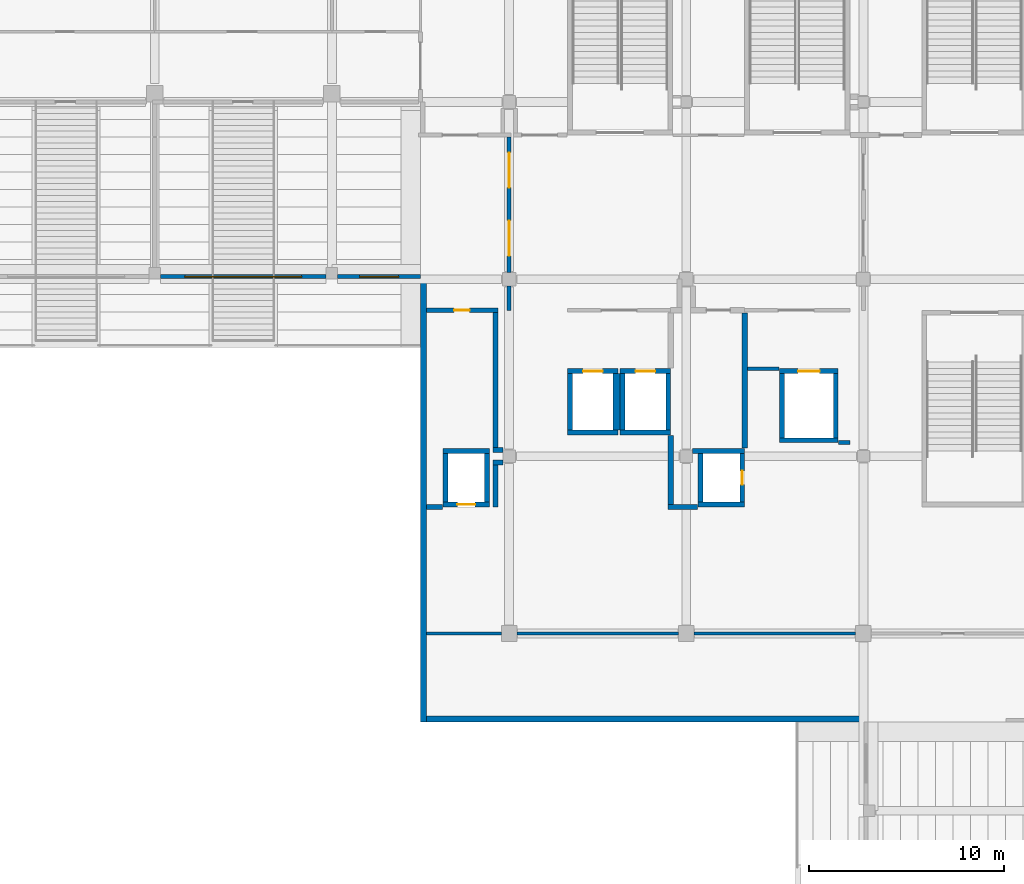
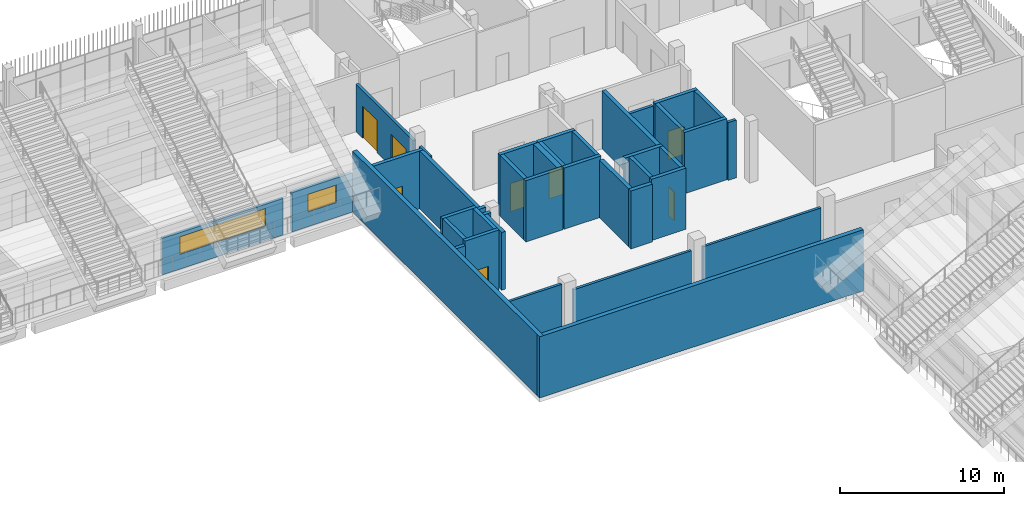
# One storey, part 86 of 139: 40 walls, 8 doors, 2 windows, 10 openings.
"""IFC4 building model written with IfcOpenShell, lengths in metres."""

from ifc_helpers import new_model, si_unit, direction, frame, frame_2d, origin, place, context, subcontext, project, spatial, rectangle, extrude, material, layer, layer_set, type_object, element, fill, save


model = new_model("IFC4")

# Units and contexts
model_context = context("Model", 3, precision=1e-05, world=origin(), true_north=direction((0.0, 1.0)))
body_context = subcontext(model_context, "Body", "Model", "MODEL_VIEW")
ifc_project = project(units=[si_unit("LENGTHUNIT", "METRE"), si_unit("AREAUNIT", "SQUARE_METRE"), si_unit("VOLUMEUNIT", "CUBIC_METRE"), si_unit("PLANEANGLEUNIT", "RADIAN"), si_unit("MASSUNIT", "GRAM", prefix="KILO")], contexts=[model_context])

# Site, building, storey
site_placement = place(None, origin())
site = spatial("IfcSite", under=ifc_project, at=site_placement, CompositionType="ELEMENT")
building_placement = place(site_placement, origin())
building = spatial("IfcBuilding", under=site, at=building_placement, Name="Shirokan Park Arena", CompositionType="ELEMENT")
storey_placement = place(building_placement, frame((0.0, 0.0, 15.469970703125)))
storey = spatial("IfcBuildingStorey", under=building, at=storey_placement, Name="L03", CompositionType="ELEMENT", Elevation=15.469970703125)

# Walls
ifc_material_1 = material(Name="Gypsum board")
ifc_layer_1 = layer(ifc_material_1, 0.02490234375, Name="Gypsum board, two layers")
ifc_material_2 = material(Name="Mineral wool insulation")
ifc_layer_2 = layer(ifc_material_2, 0.10009765625, Name="Acoustic mineral wool in studs")
ifc_layer_3 = layer(ifc_material_1, 0.02490234375, Name="Gypsum board, two layers")
ifc_material_3 = material(Name="Acoustic mat on resilient channel")
ifc_layer_4 = layer(ifc_material_3, 0.02490234375, Name="Acoustic mat on resilient channel")
ifc_layer_set_1 = layer_set([ifc_layer_1, ifc_layer_2, ifc_layer_3, ifc_layer_4], Name="Gypsum board, two layers + Acoustic mineral wool in studs + Acoustic mat on resilient channel")
wall_type_1 = type_object("IfcWallType", Name="Acoustic studio wall 175", PredefinedType="PARTITIONING", material=ifc_layer_set_1)
wall_1_placement = place(storey_placement, frame((104.949951171875, 72.800048828125, 0.0), z_axis=(0.0, 0.0, 1.0), x_axis=(1.0, 0.0, 0.0)))
element("IfcWall", 1, at=wall_1_placement, inside=storey, type_object=wall_type_1, Name="Acoustic studio wall 175 L03", PredefinedType="PARTITIONING", context=body_context, shape_type="SweptSolid", body=[
    extrude(rectangle(XDim=3.85009765625, YDim=0.175048828125, at=frame_2d((1.925048828125, 0.0))), origin(), (0.0, 0.0, 1.0), 4.300048828125),
])
wall_2_placement = place(storey_placement, frame((109.60009765625, 72.800048828125, 0.0), z_axis=(0.0, 0.0, 1.0), x_axis=(1.0, 0.0, 0.0)))
element("IfcWall", 2, at=wall_2_placement, inside=storey, type_object=wall_type_1, Name="Acoustic studio wall 175 L03", PredefinedType="PARTITIONING", context=body_context, shape_type="SweptSolid", body=[
    extrude(rectangle(XDim=8.2998046875, YDim=0.175048828125, at=frame_2d((4.14990234375, 0.0))), origin(), (0.0, 0.0, 1.0), 3.60009765625),
])
wall_3_placement = place(storey_placement, frame((118.699951171875, 72.800048828125, 0.0), z_axis=(0.0, 0.0, 1.0), x_axis=(1.0, 0.0, 0.0)))
element("IfcWall", 3, at=wall_3_placement, inside=storey, type_object=wall_type_1, Name="Acoustic studio wall 175 L03", PredefinedType="PARTITIONING", context=body_context, shape_type="SweptSolid", body=[
    extrude(rectangle(XDim=8.300048828125, YDim=0.175048828125, at=frame_2d((4.14990234375, 0.0))), origin(), (0.0, 0.0, 1.0), 3.60009765625),
])

# Wall, opening, window
ifc_material_4 = material(Name="Cedar timber lining", Category="wood")
ifc_layer_5 = layer(ifc_material_4, 0.02001953125, Name="Cedar timber lining")
ifc_material_5 = material(Name="Plywood", Category="wood")
ifc_layer_6 = layer(ifc_material_5, 0.01806640625, Name="Plywood")
ifc_layer_7 = layer(ifc_material_2, 0.14208984375, Name="Mineral wool insulation")
ifc_layer_8 = layer(ifc_material_1, 0.02001953125, Name="Gypsum board")
ifc_layer_set_2 = layer_set([ifc_layer_5, ifc_layer_6, ifc_layer_7, ifc_layer_8], Name="Cedar timber lining + Plywood + Mineral wool insulation + Gypsum board")
wall_type_2 = type_object("IfcWallType", Name="Bowl front wall 200", PredefinedType="PARTITIONING", material=ifc_layer_set_2)
wall_4_placement = place(storey_placement, frame((104.64990234375, 91.1298828125, 0.0), z_axis=(0.0, 0.0, 1.0), x_axis=(-1.0, 0.0, 0.0)))
wall_4 = element("IfcWall", 4, at=wall_4_placement, inside=storey, type_object=wall_type_2, Name="Bowl front wall 200 L03", PredefinedType="PARTITIONING", context=body_context, shape_type="SweptSolid", body=[
    extrude(rectangle(XDim=4.25, YDim=0.199951171875, at=frame_2d((2.125, 0.0))), origin(), (0.0, 0.0, 1.0), 2.909912109375),
])
opening_1_placement = place(wall_4_placement, frame((1.125, 0.0, 1.10009765625)))
opening_1 = element("IfcOpeningElement", 5, at=opening_1_placement, cuts=wall_4, Name="Opening W7", PredefinedType="OPENING", context=body_context, shape_type="SweptSolid", body=[
    extrude(rectangle(XDim=2.0, YDim=1.300048828125, at=frame_2d((1.0, 0.64990234375))), frame((0.0, 0.10986328125, 0.0), z_axis=(0.0, -1.0, 0.0), x_axis=(1.0, 0.0, 0.0)), (0.0, 0.0, 1.0), 0.219970703125),
])
ifc_material_6 = material(Name="Aluminium frame with laminated glass", Category="aluminium")
window_type_1 = type_object("IfcWindowType", Name="Suite viewing window 2000 x 1300", PartitioningType="SINGLE_PANEL", PredefinedType="WINDOW", material=ifc_material_6)
window_1_placement = place(opening_1_placement, origin())
window_1 = element("IfcWindow", 6, at=window_1_placement, inside=storey, type_object=window_type_1, Name="Suite viewing window 2000 x 1300 L03", OverallHeight=1.300048828125, OverallWidth=2.0, PartitioningType="SINGLE_PANEL", PredefinedType="WINDOW", context=body_context, shape_type="SweptSolid", body=[
    extrude(rectangle(XDim=2.0, YDim=1.300048828125, at=frame_2d((1.0, 0.64990234375))), frame((0.0, 0.030029296875, 0.0), z_axis=(0.0, -1.0, 0.0), x_axis=(1.0, 0.0, 0.0)), (0.0, 0.0, 1.0), 0.06005859375),
])
fill(opening_1, window_1)

wall_5_placement = place(storey_placement, frame((99.800048828125, 91.1298828125, 0.0), z_axis=(0.0, 0.0, 1.0), x_axis=(-1.0, 0.0, 0.0)))
wall_5 = element("IfcWall", 7, at=wall_5_placement, inside=storey, type_object=wall_type_2, Name="Bowl front wall 200 L03", PredefinedType="PARTITIONING", context=body_context, shape_type="SweptSolid", body=[
    extrude(rectangle(XDim=8.5, YDim=0.199951171875, at=frame_2d((4.25, 0.0))), origin(), (0.0, 0.0, 1.0), 2.7099609375),
])
opening_2_placement = place(wall_5_placement, frame((1.25, 0.0, 1.10009765625)))
opening_2 = element("IfcOpeningElement", 8, at=opening_2_placement, cuts=wall_5, Name="Opening W8", PredefinedType="OPENING", context=body_context, shape_type="SweptSolid", body=[
    extrude(rectangle(XDim=6.0, YDim=1.300048828125, at=frame_2d((3.0, 0.64990234375))), frame((0.0, 0.10986328125, 0.0), z_axis=(0.0, -1.0, 0.0), x_axis=(1.0, 0.0, 0.0)), (0.0, 0.0, 1.0), 0.219970703125),
])
window_type_2 = type_object("IfcWindowType", Name="Suite viewing window 6000 x 1300", PartitioningType="SINGLE_PANEL", PredefinedType="WINDOW", material=ifc_material_6)
window_2_placement = place(opening_2_placement, origin())
window_2 = element("IfcWindow", 9, at=window_2_placement, inside=storey, type_object=window_type_2, Name="Suite viewing window 6000 x 1300 L03", OverallHeight=1.300048828125, OverallWidth=6.0, PartitioningType="SINGLE_PANEL", PredefinedType="WINDOW", context=body_context, shape_type="SweptSolid", body=[
    extrude(rectangle(XDim=6.0, YDim=1.300048828125, at=frame_2d((3.0, 0.64990234375))), frame((0.0, 0.030029296875, 0.0), z_axis=(0.0, -1.0, 0.0), x_axis=(1.0, 0.0, 0.0)), (0.0, 0.0, 1.0), 0.06005859375),
])
fill(opening_2, window_2)

# Walls
ifc_material_7 = material(Name="Plaster")
ifc_layer_9 = layer(ifc_material_7, 0.014892578125, Name="Plaster")
ifc_material_8 = material(Name="Concrete blockwork", Category="masonry")
ifc_layer_10 = layer(ifc_material_8, 0.219970703125, Name="Concrete blockwork 220")
ifc_layer_11 = layer(ifc_material_7, 0.014892578125, Name="Plaster")
ifc_layer_set_3 = layer_set([ifc_layer_9, ifc_layer_10, ifc_layer_11], Name="Plaster + Concrete blockwork 220")
wall_type_3 = type_object("IfcWallType", Name="Compartment wall 250", PredefinedType="SOLIDWALL", material=ifc_layer_set_3)
wall_6_placement = place(storey_placement, frame((105.77001953125, 79.300048828125, 0.0), z_axis=(0.0, 0.0, 1.0), x_axis=(-1.0, 0.0, 0.0)))
element("IfcWall", 10, at=wall_6_placement, inside=storey, type_object=wall_type_3, Name="Compartment wall 250 L03", PredefinedType="SOLIDWALL", context=body_context, shape_type="SweptSolid", body=[
    extrude(rectangle(XDim=0.820068359375, YDim=0.25, at=frame_2d((0.41015625, 0.0))), origin(), (0.0, 0.0, 1.0), 4.300048828125),
])
wall_7_placement = place(storey_placement, frame((108.375, 81.574951171875, 0.0), z_axis=(0.0, 0.0, 1.0), x_axis=(1.0, 0.0, 0.0)))
element("IfcWall", 11, at=wall_7_placement, inside=storey, type_object=wall_type_3, Name="Compartment wall 250 L03", PredefinedType="SOLIDWALL", context=body_context, shape_type="SweptSolid", body=[
    extrude(rectangle(XDim=0.5, YDim=0.25, at=frame_2d((0.25, 0.0))), origin(), (0.0, 0.0, 1.0), 4.300048828125),
])
wall_8_placement = place(storey_placement, frame((108.5, 79.300048828125, 0.0), z_axis=(0.0, 0.0, 1.0), x_axis=(0.0, 1.0, 0.0)))
element("IfcWall", 12, at=wall_8_placement, inside=storey, type_object=wall_type_3, Name="Compartment wall 250 L03", PredefinedType="SOLIDWALL", context=body_context, shape_type="SweptSolid", body=[
    extrude(rectangle(XDim=2.14990234375, YDim=0.25, at=frame_2d((1.074951171875, 0.0))), origin(), (0.0, 0.0, 1.0), 4.300048828125),
])
wall_9_placement = place(storey_placement, frame((108.5, 82.35009765625, 0.0), z_axis=(0.0, 0.0, 1.0), x_axis=(0.0, 1.0, 0.0)))
element("IfcWall", 13, at=wall_9_placement, inside=storey, type_object=wall_type_3, Name="Compartment wall 250 L03", PredefinedType="SOLIDWALL", context=body_context, shape_type="SweptSolid", body=[
    extrude(rectangle(XDim=6.9248046875, YDim=0.25, at=frame_2d((3.46240234375, 0.0))), origin(), (0.0, 0.0, 1.0), 4.300048828125),
])

# Wall, opening, door
wall_10_placement = place(storey_placement, frame((108.625, 89.39990234375, 0.0), z_axis=(0.0, 0.0, 1.0), x_axis=(-1.0, 0.0, 0.0)))
wall_10 = element("IfcWall", 14, at=wall_10_placement, inside=storey, type_object=wall_type_3, Name="Compartment wall 250 L03", PredefinedType="SOLIDWALL", context=body_context, shape_type="SweptSolid", body=[
    extrude(rectangle(XDim=3.675048828125, YDim=0.25, at=frame_2d((1.83740234375, 0.0))), origin(), (0.0, 0.0, 1.0), 4.300048828125),
])
opening_3_placement = place(wall_10_placement, frame((1.449951171875, 0.0, 0.0)))
opening_3 = element("IfcOpeningElement", 15, at=opening_3_placement, cuts=wall_10, Name="Opening D-3025", PredefinedType="OPENING", context=body_context, shape_type="SweptSolid", body=[
    extrude(rectangle(XDim=0.800048828125, YDim=2.10009765625, at=frame_2d((0.39990234375, 1.050048828125))), frame((0.0, 0.135009765625, 0.0), z_axis=(0.0, -1.0, 0.0), x_axis=(1.0, 0.0, 0.0)), (0.0, 0.0, 1.0), 0.27001953125),
])
ifc_material_9 = material(Name="Timber door set, fire resisting", Category="wood")
door_type_1 = type_object("IfcDoorType", Name="Cleaner store door 800 x 2100", OperationType="SINGLE_SWING_LEFT", PredefinedType="DOOR", material=ifc_material_9)
door_1_placement = place(opening_3_placement, origin())
door_1 = element("IfcDoor", 16, at=door_1_placement, inside=storey, type_object=door_type_1, Name="Door to Cleaner's Store 3.39 D-3025", OperationType="SINGLE_SWING_LEFT", OverallHeight=2.10009765625, OverallWidth=0.800048828125, PredefinedType="DOOR", context=body_context, shape_type="SweptSolid", body=[
    extrude(rectangle(XDim=0.800048828125, YDim=2.10009765625, at=frame_2d((0.39990234375, 1.050048828125))), frame((0.0, 0.02490234375, 0.0), z_axis=(0.0, -1.0, 0.0), x_axis=(1.0, 0.0, 0.0)), (0.0, 0.0, 1.0), 0.050048828125),
])
fill(opening_3, door_1)

# Walls
wall_11_placement = place(storey_placement, frame((108.875, 82.22509765625, 0.0), z_axis=(0.0, 0.0, 1.0), x_axis=(-1.0, 0.0, 0.0)))
element("IfcWall", 17, at=wall_11_placement, inside=storey, type_object=wall_type_3, Name="Compartment wall 250 L03", PredefinedType="SOLIDWALL", context=body_context, shape_type="SweptSolid", body=[
    extrude(rectangle(XDim=0.5, YDim=0.25, at=frame_2d((0.25, 0.0))), origin(), (0.0, 0.0, 1.0), 4.300048828125),
])
ifc_layer_12 = layer(ifc_material_1, 0.02490234375, Name="Gypsum board, two layers")
ifc_layer_13 = layer(ifc_material_2, 0.14990234375, Name="Mineral wool insulation")
ifc_layer_14 = layer(ifc_material_1, 0.02490234375, Name="Gypsum board, two layers")
ifc_layer_set_4 = layer_set([ifc_layer_12, ifc_layer_13, ifc_layer_14], Name="Gypsum board, two layers + Mineral wool insulation")
wall_type_4 = type_object("IfcWallType", Name="Corridor wall 200", PredefinedType="PARTITIONING", material=ifc_layer_set_4)
wall_12_placement = place(storey_placement, frame((109.199951171875, 89.39990234375, 0.0), z_axis=(0.0, 0.0, 1.0), x_axis=(0.0, 1.0, 0.0)))
element("IfcWall", 18, at=wall_12_placement, inside=storey, type_object=wall_type_4, Name="Corridor wall 200 L03", PredefinedType="PARTITIONING", context=body_context, shape_type="SweptSolid", body=[
    extrude(rectangle(XDim=1.25, YDim=0.199951171875, at=frame_2d((0.625, 0.0))), origin(), (0.0, 0.0, 1.0), 3.550048828125),
])

# Wall, openings, doors
wall_13_placement = place(storey_placement, frame((109.199951171875, 91.35009765625, 0.0), z_axis=(0.0, 0.0, 1.0), x_axis=(0.0, 1.0, 0.0)))
wall_13 = element("IfcWall", 19, at=wall_13_placement, inside=storey, type_object=wall_type_4, Name="Corridor wall 200 L03", PredefinedType="PARTITIONING", context=body_context, shape_type="SweptSolid", body=[
    extrude(rectangle(XDim=6.949951171875, YDim=0.199951171875, at=frame_2d((3.47509765625, 0.0))), origin(), (0.0, 0.0, 1.0), 3.550048828125),
])
opening_4_placement = place(wall_13_placement, frame((0.85009765625, 0.0, 0.0)))
opening_4 = element("IfcOpeningElement", 20, at=opening_4_placement, cuts=wall_13, Name="Opening D-3118", PredefinedType="OPENING", context=body_context, shape_type="SweptSolid", body=[
    extrude(rectangle(XDim=1.800048828125, YDim=2.39990234375, at=frame_2d((0.89990234375, 1.199951171875))), frame((0.0, 0.10986328125, 0.0), z_axis=(0.0, -1.0, 0.0), x_axis=(1.0, 0.0, 0.0)), (0.0, 0.0, 1.0), 0.219970703125),
])
opening_5_placement = place(wall_13_placement, frame((4.35009765625, 0.0, 0.0)))
opening_5 = element("IfcOpeningElement", 21, at=opening_5_placement, cuts=wall_13, Name="Opening D-3119", PredefinedType="OPENING", context=body_context, shape_type="SweptSolid", body=[
    extrude(rectangle(XDim=1.800048828125, YDim=2.39990234375, at=frame_2d((0.89990234375, 1.199951171875))), frame((0.0, 0.10986328125, 0.0), z_axis=(0.0, -1.0, 0.0), x_axis=(1.0, 0.0, 0.0)), (0.0, 0.0, 1.0), 0.219970703125),
])
ifc_material_10 = material(Name="Glazed steel door set, fire resisting", Category="steel")
door_type_2 = type_object("IfcDoorType", Name="Lift lobby door 1800 x 2400", OperationType="DOUBLE_DOOR_SINGLE_SWING", PredefinedType="DOOR", material=ifc_material_10)
door_2_placement = place(opening_4_placement, origin())
door_2 = element("IfcDoor", 22, at=door_2_placement, inside=storey, type_object=door_type_2, Name="Door between Stair Lobby 3.3.3 and Hospitality Foyer 3.3.4 D-3118", OperationType="DOUBLE_DOOR_SINGLE_SWING", OverallHeight=2.39990234375, OverallWidth=1.800048828125, PredefinedType="DOOR", context=body_context, shape_type="SweptSolid", body=[
    extrude(rectangle(XDim=1.800048828125, YDim=2.39990234375, at=frame_2d((0.89990234375, 1.199951171875))), frame((0.0, 0.02490234375, 0.0), z_axis=(0.0, -1.0, 0.0), x_axis=(1.0, 0.0, 0.0)), (0.0, 0.0, 1.0), 0.050048828125),
])
fill(opening_4, door_2)
door_3_placement = place(opening_5_placement, origin())
door_3 = element("IfcDoor", 23, at=door_3_placement, inside=storey, type_object=door_type_2, Name="Door between Stair Lobby 3.3.3 and Hospitality Foyer 3.3.4 D-3119", OperationType="DOUBLE_DOOR_SINGLE_SWING", OverallHeight=2.39990234375, OverallWidth=1.800048828125, PredefinedType="DOOR", context=body_context, shape_type="SweptSolid", body=[
    extrude(rectangle(XDim=1.800048828125, YDim=2.39990234375, at=frame_2d((0.89990234375, 1.199951171875))), frame((0.0, 0.02490234375, 0.0), z_axis=(0.0, -1.0, 0.0), x_axis=(1.0, 0.0, 0.0)), (0.0, 0.0, 1.0), 0.050048828125),
])
fill(opening_5, door_3)

# Walls
wall_14_placement = place(storey_placement, frame((123.070068359375, 86.39990234375, 0.0), z_axis=(0.0, 0.0, 1.0), x_axis=(-1.0, 0.0, 0.0)))
element("IfcWall", 24, at=wall_14_placement, inside=storey, type_object=wall_type_4, Name="Corridor wall 200 L03", PredefinedType="PARTITIONING", context=body_context, shape_type="SweptSolid", body=[
    extrude(rectangle(XDim=1.632568359375, YDim=0.199951171875, at=frame_2d((0.81640625, 0.0))), origin(), (0.0, 0.0, 1.0), 4.300048828125),
])
wall_15_placement = place(storey_placement, frame((126.699951171875, 82.60009765625, 0.0), z_axis=(0.0, 0.0, 1.0), x_axis=(-1.0, 0.0, 0.0)))
element("IfcWall", 25, at=wall_15_placement, inside=storey, type_object=wall_type_4, Name="Corridor wall 200 L03", PredefinedType="PARTITIONING", context=body_context, shape_type="SweptSolid", body=[
    extrude(rectangle(XDim=0.570068359375, YDim=0.199951171875, at=frame_2d((0.28515625, 0.0))), origin(), (0.0, 0.0, 1.0), 4.300048828125),
])
ifc_layer_15 = layer(ifc_material_7, 0.012451171875, Name="Plaster")
ifc_layer_16 = layer(ifc_material_8, 0.25, Name="Concrete blockwork 250")
ifc_layer_17 = layer(ifc_material_7, 0.012451171875, Name="Plaster")
ifc_layer_set_5 = layer_set([ifc_layer_15, ifc_layer_16, ifc_layer_17], Name="Plaster + Concrete blockwork 250")
wall_type_5 = type_object("IfcWallType", Name="Plant room wall 275", PredefinedType="SOLIDWALL", material=ifc_layer_set_5)
wall_16_placement = place(storey_placement, frame((117.5, 79.4375, 0.0), z_axis=(0.0, 0.0, 1.0), x_axis=(0.0, 1.0, 0.0)))
element("IfcWall", 26, at=wall_16_placement, inside=storey, type_object=wall_type_5, Name="Plant room wall 275 L03", PredefinedType="SOLIDWALL", context=body_context, shape_type="SweptSolid", body=[
    extrude(rectangle(XDim=3.532470703125, YDim=0.27490234375, at=frame_2d((1.76611328125, 0.0))), origin(), (0.0, 0.0, 1.0), 4.300048828125),
])
wall_17_placement = place(storey_placement, frame((118.8701171875, 79.300048828125, 0.0), z_axis=(0.0, 0.0, 1.0), x_axis=(-1.0, 0.0, 0.0)))
element("IfcWall", 27, at=wall_17_placement, inside=storey, type_object=wall_type_5, Name="Plant room wall 275 L03", PredefinedType="SOLIDWALL", context=body_context, shape_type="SweptSolid", body=[
    extrude(rectangle(XDim=1.507568359375, YDim=0.27490234375, at=frame_2d((0.75390625, 0.0))), origin(), (0.0, 0.0, 1.0), 4.300048828125),
])
wall_18_placement = place(storey_placement, frame((121.300048828125, 82.330078125, 0.0), z_axis=(0.0, 0.0, 1.0), x_axis=(0.0, 1.0, 0.0)))
element("IfcWall", 28, at=wall_18_placement, inside=storey, type_object=wall_type_5, Name="Plant room wall 275 L03", PredefinedType="SOLIDWALL", context=body_context, shape_type="SweptSolid", body=[
    extrude(rectangle(XDim=6.932373046875, YDim=0.27490234375, at=frame_2d((3.46630859375, 0.0))), origin(), (0.0, 0.0, 1.0), 4.300048828125),
])
ifc_material_11 = material(Name="Concrete C35", Category="concrete")
ifc_layer_18 = layer(ifc_material_11, 0.300048828125)
ifc_layer_set_6 = layer_set([ifc_layer_18], Name="Concrete C35 300 mm")
wall_type_6 = type_object("IfcWallType", Name="RC flank wall 300", PredefinedType="SHEAR", material=ifc_layer_set_6)
for number, where, z_axis, x_axis, name in (
    (29, (104.800048828125, 68.25, 0.0), (0.0, 0.0, 1.0), (0.0, 1.0, 0.0), "Flank wall N2 L03"),
    (30, (104.64990234375, 68.39990234375, 0.0), (0.0, 0.0, 1.0), (1.0, 0.0, 0.0), "Flank wall E2 L03"),
):
    element("IfcWall", number, at=place(storey_placement, frame(where, z_axis=z_axis, x_axis=x_axis)), inside=storey, type_object=wall_type_6, Name=name, PredefinedType="SHEAR", context=body_context, shape_type="SweptSolid", body=[
        extrude(rectangle(XDim=22.75, YDim=0.300048828125, at=frame_2d((11.375, 0.0))), origin(), (0.0, 0.0, 1.0), 4.550048828125),
    ])
ifc_material_12 = material(Name="Concrete C40/50", Category="concrete")
ifc_layer_19 = layer(ifc_material_12, 0.25)
ifc_layer_set_7 = layer_set([ifc_layer_19], Name="Concrete C40/50 250 mm")
wall_type_7 = type_object("IfcWallType", Name="RC shear wall 250", PredefinedType="SHEAR", material=ifc_layer_set_7)
wall_19_placement = place(storey_placement, frame((117.5, 83.125, 0.0), z_axis=(0.0, 0.0, 1.0), x_axis=(-1.0, 0.0, 0.0)))
element("IfcWall", 31, at=wall_19_placement, inside=storey, type_object=wall_type_7, Name="Shaft wall Passenger Lift 3.1 S L03", PredefinedType="SHEAR", context=body_context, shape_type="SweptSolid", body=[
    extrude(rectangle(XDim=2.60009765625, YDim=0.25, at=frame_2d((1.300048828125, 0.0))), origin(), (0.0, 0.0, 1.0), 4.550048828125),
])

# Wall, opening, door
wall_20_placement = place(storey_placement, frame((117.5, 86.27490234375, 0.0), z_axis=(0.0, 0.0, 1.0), x_axis=(-1.0, 0.0, 0.0)))
wall_20 = element("IfcWall", 32, at=wall_20_placement, inside=storey, type_object=wall_type_7, Name="Shaft wall Passenger Lift 3.1 N L03", PredefinedType="SHEAR", context=body_context, shape_type="SweptSolid", body=[
    extrude(rectangle(XDim=2.60009765625, YDim=0.25, at=frame_2d((1.300048828125, 0.0))), origin(), (0.0, 0.0, 1.0), 4.550048828125),
])
opening_6_placement = place(wall_20_placement, frame((0.800048828125, 0.0, 0.0)))
opening_6 = element("IfcOpeningElement", 33, at=opening_6_placement, cuts=wall_20, Name="Opening LD28", PredefinedType="OPENING", context=body_context, shape_type="SweptSolid", body=[
    extrude(rectangle(XDim=1.0, YDim=2.10009765625, at=frame_2d((0.5, 1.050048828125))), frame((0.0, 0.135009765625, 0.0), z_axis=(0.0, -1.0, 0.0), x_axis=(1.0, 0.0, 0.0)), (0.0, 0.0, 1.0), 0.27001953125),
])
ifc_material_13 = material(Name="Stainless steel", Category="steel")
door_type_3 = type_object("IfcDoorType", Name="Lift landing door 1000x2100", OperationType="DOUBLE_DOOR_SLIDING", PredefinedType="DOOR", material=ifc_material_13)
door_4_placement = place(opening_6_placement, origin())
door_4 = element("IfcDoor", 34, at=door_4_placement, inside=storey, type_object=door_type_3, Name="Lift landing door Passenger Lift 3.1 L03", OperationType="DOUBLE_DOOR_SLIDING", OverallHeight=2.10009765625, OverallWidth=1.0, PredefinedType="DOOR", context=body_context, shape_type="SweptSolid", body=[
    extrude(rectangle(XDim=1.0, YDim=2.10009765625, at=frame_2d((0.5, 1.050048828125))), frame((0.0, 0.02490234375, 0.0), z_axis=(0.0, -1.0, 0.0), x_axis=(1.0, 0.0, 0.0)), (0.0, 0.0, 1.0), 0.050048828125),
])
fill(opening_6, door_4)

# Walls
for number, where, z_axis, x_axis, name in (
    (35, (115.02490234375, 86.14990234375, 0.0), (0.0, 0.0, 1.0), (0.0, -1.0, 0.0), "Shaft wall Passenger Lift 3.1 W L03"),
    (36, (117.375, 86.14990234375, 0.0), (0.0, 0.0, 1.0), (0.0, -1.0, 0.0), "Shaft wall Passenger Lift 3.1 E L03"),
):
    element("IfcWall", number, at=place(storey_placement, frame(where, z_axis=z_axis, x_axis=x_axis)), inside=storey, type_object=wall_type_7, Name=name, PredefinedType="SHEAR", context=body_context, shape_type="SweptSolid", body=[
        extrude(rectangle(XDim=2.89990234375, YDim=0.25, at=frame_2d((1.449951171875, 0.0))), origin(), (0.0, 0.0, 1.0), 4.550048828125),
    ])
wall_21_placement = place(storey_placement, frame((114.800048828125, 83.125, 0.0), z_axis=(0.0, 0.0, 1.0), x_axis=(-1.0, 0.0, 0.0)))
element("IfcWall", 37, at=wall_21_placement, inside=storey, type_object=wall_type_7, Name="Shaft wall Passenger Lift 3.2 S L03", PredefinedType="SHEAR", context=body_context, shape_type="SweptSolid", body=[
    extrude(rectangle(XDim=2.60009765625, YDim=0.25, at=frame_2d((1.300048828125, 0.0))), origin(), (0.0, 0.0, 1.0), 4.550048828125),
])

# Wall, opening, door
wall_22_placement = place(storey_placement, frame((114.800048828125, 86.27490234375, 0.0), z_axis=(0.0, 0.0, 1.0), x_axis=(-1.0, 0.0, 0.0)))
wall_22 = element("IfcWall", 38, at=wall_22_placement, inside=storey, type_object=wall_type_7, Name="Shaft wall Passenger Lift 3.2 N L03", PredefinedType="SHEAR", context=body_context, shape_type="SweptSolid", body=[
    extrude(rectangle(XDim=2.60009765625, YDim=0.25, at=frame_2d((1.300048828125, 0.0))), origin(), (0.0, 0.0, 1.0), 4.550048828125),
])
opening_7_placement = place(wall_22_placement, frame((0.800048828125, 0.0, 0.0)))
opening_7 = element("IfcOpeningElement", 39, at=opening_7_placement, cuts=wall_22, Name="Opening LD34", PredefinedType="OPENING", context=body_context, shape_type="SweptSolid", body=[
    extrude(rectangle(XDim=1.0, YDim=2.10009765625, at=frame_2d((0.5, 1.050048828125))), frame((0.0, 0.135009765625, 0.0), z_axis=(0.0, -1.0, 0.0), x_axis=(1.0, 0.0, 0.0)), (0.0, 0.0, 1.0), 0.27001953125),
])
door_5_placement = place(opening_7_placement, origin())
door_5 = element("IfcDoor", 40, at=door_5_placement, inside=storey, type_object=door_type_3, Name="Lift landing door Passenger Lift 3.2 L03", OperationType="DOUBLE_DOOR_SLIDING", OverallHeight=2.10009765625, OverallWidth=1.0, PredefinedType="DOOR", context=body_context, shape_type="SweptSolid", body=[
    extrude(rectangle(XDim=1.0, YDim=2.10009765625, at=frame_2d((0.5, 1.050048828125))), frame((0.0, 0.02490234375, 0.0), z_axis=(0.0, -1.0, 0.0), x_axis=(1.0, 0.0, 0.0)), (0.0, 0.0, 1.0), 0.050048828125),
])
fill(opening_7, door_5)

# Wall
wall_23_placement = place(storey_placement, frame((112.324951171875, 86.14990234375, 0.0), z_axis=(0.0, 0.0, 1.0), x_axis=(0.0, -1.0, 0.0)))
element("IfcWall", 41, at=wall_23_placement, inside=storey, type_object=wall_type_7, Name="Shaft wall Passenger Lift 3.2 W L03", PredefinedType="SHEAR", context=body_context, shape_type="SweptSolid", body=[
    extrude(rectangle(XDim=2.89990234375, YDim=0.25, at=frame_2d((1.449951171875, 0.0))), origin(), (0.0, 0.0, 1.0), 4.550048828125),
])

# Wall, opening, door
wall_24_placement = place(storey_placement, frame((108.199951171875, 79.425048828125, 0.0), z_axis=(0.0, 0.0, 1.0), x_axis=(-1.0, 0.0, 0.0)))
wall_24 = element("IfcWall", 42, at=wall_24_placement, inside=storey, type_object=wall_type_7, Name="Shaft wall Services Riser 3.1 S L03", PredefinedType="SHEAR", context=body_context, shape_type="SweptSolid", body=[
    extrude(rectangle(XDim=2.39990234375, YDim=0.25, at=frame_2d((1.199951171875, 0.0))), origin(), (0.0, 0.0, 1.0), 4.550048828125),
])
opening_8_placement = place(wall_24_placement, frame((0.75, 0.0, 0.0)))
opening_8 = element("IfcOpeningElement", 43, at=opening_8_placement, cuts=wall_24, Name="Opening D-3142", PredefinedType="OPENING", context=body_context, shape_type="SweptSolid", body=[
    extrude(rectangle(XDim=0.89990234375, YDim=2.10009765625, at=frame_2d((0.449951171875, 1.050048828125))), frame((0.0, 0.135009765625, 0.0), z_axis=(0.0, -1.0, 0.0), x_axis=(1.0, 0.0, 0.0)), (0.0, 0.0, 1.0), 0.27001953125),
])
ifc_material_14 = material(Name="Steel door set, fire resisting", Category="steel")
door_type_4 = type_object("IfcDoorType", Name="Electrical riser door 900 x 2100", OperationType="SINGLE_SWING_LEFT", PredefinedType="DOOR", material=ifc_material_14)
door_6_placement = place(opening_8_placement, origin())
door_6 = element("IfcDoor", 44, at=door_6_placement, inside=storey, type_object=door_type_4, Name="Riser access door Services Riser 3.1 D-3142", OperationType="SINGLE_SWING_LEFT", OverallHeight=2.10009765625, OverallWidth=0.89990234375, PredefinedType="DOOR", context=body_context, shape_type="SweptSolid", body=[
    extrude(rectangle(XDim=0.89990234375, YDim=2.10009765625, at=frame_2d((0.449951171875, 1.050048828125))), frame((0.0, 0.02490234375, 0.0), z_axis=(0.0, -1.0, 0.0), x_axis=(1.0, 0.0, 0.0)), (0.0, 0.0, 1.0), 0.050048828125),
])
fill(opening_8, door_6)

# Walls
wall_25_placement = place(storey_placement, frame((108.199951171875, 82.175048828125, 0.0), z_axis=(0.0, 0.0, 1.0), x_axis=(-1.0, 0.0, 0.0)))
element("IfcWall", 45, at=wall_25_placement, inside=storey, type_object=wall_type_7, Name="Shaft wall Services Riser 3.1 N L03", PredefinedType="SHEAR", context=body_context, shape_type="SweptSolid", body=[
    extrude(rectangle(XDim=2.39990234375, YDim=0.25, at=frame_2d((1.199951171875, 0.0))), origin(), (0.0, 0.0, 1.0), 4.550048828125),
])
for number, where, z_axis, x_axis, name in (
    (46, (105.925048828125, 82.050048828125, 0.0), (0.0, 0.0, 1.0), (0.0, -1.0, 0.0), "Shaft wall Services Riser 3.1 W L03"),
    (47, (108.074951171875, 82.050048828125, 0.0), (0.0, 0.0, 1.0), (0.0, -1.0, 0.0), "Shaft wall Services Riser 3.1 E L03"),
):
    element("IfcWall", number, at=place(storey_placement, frame(where, z_axis=z_axis, x_axis=x_axis)), inside=storey, type_object=wall_type_7, Name=name, PredefinedType="SHEAR", context=body_context, shape_type="SweptSolid", body=[
        extrude(rectangle(XDim=2.5, YDim=0.25, at=frame_2d((1.25, 0.0))), origin(), (0.0, 0.0, 1.0), 4.550048828125),
    ])
wall_26_placement = place(storey_placement, frame((121.300048828125, 79.425048828125, 0.0), z_axis=(0.0, 0.0, 1.0), x_axis=(-1.0, 0.0, 0.0)))
element("IfcWall", 48, at=wall_26_placement, inside=storey, type_object=wall_type_7, Name="Shaft wall Services Riser 3.2 S L03", PredefinedType="SHEAR", context=body_context, shape_type="SweptSolid", body=[
    extrude(rectangle(XDim=2.400146484375, YDim=0.25, at=frame_2d((1.2001953125, 0.0))), origin(), (0.0, 0.0, 1.0), 4.550048828125),
])
wall_27_placement = place(storey_placement, frame((121.300048828125, 82.175048828125, 0.0), z_axis=(0.0, 0.0, 1.0), x_axis=(-1.0, 0.0, 0.0)))
element("IfcWall", 49, at=wall_27_placement, inside=storey, type_object=wall_type_7, Name="Shaft wall Services Riser 3.2 N L03", PredefinedType="SHEAR", context=body_context, shape_type="SweptSolid", body=[
    extrude(rectangle(XDim=2.675048828125, YDim=0.25, at=frame_2d((1.33740234375, 0.0))), origin(), (0.0, 0.0, 1.0), 4.550048828125),
])
wall_28_placement = place(storey_placement, frame((119.02490234375, 82.050048828125, 0.0), z_axis=(0.0, 0.0, 1.0), x_axis=(0.0, -1.0, 0.0)))
element("IfcWall", 50, at=wall_28_placement, inside=storey, type_object=wall_type_7, Name="Shaft wall Services Riser 3.2 W L03", PredefinedType="SHEAR", context=body_context, shape_type="SweptSolid", body=[
    extrude(rectangle(XDim=2.5, YDim=0.25, at=frame_2d((1.25, 0.0))), origin(), (0.0, 0.0, 1.0), 4.550048828125),
])

# Wall, opening, door
wall_29_placement = place(storey_placement, frame((121.175048828125, 82.050048828125, 0.0), z_axis=(0.0, 0.0, 1.0), x_axis=(0.0, -1.0, 0.0)))
wall_29 = element("IfcWall", 51, at=wall_29_placement, inside=storey, type_object=wall_type_7, Name="Shaft wall Services Riser 3.2 E L03", PredefinedType="SHEAR", context=body_context, shape_type="SweptSolid", body=[
    extrude(rectangle(XDim=2.5, YDim=0.25, at=frame_2d((1.25, 0.0))), origin(), (0.0, 0.0, 1.0), 4.550048828125),
])
opening_9_placement = place(wall_29_placement, frame((0.89990234375, 0.0, 0.0)))
opening_9 = element("IfcOpeningElement", 52, at=opening_9_placement, cuts=wall_29, Name="Opening D-3143", PredefinedType="OPENING", context=body_context, shape_type="SweptSolid", body=[
    extrude(rectangle(XDim=0.699951171875, YDim=2.10009765625, at=frame_2d((0.35009765625, 1.050048828125))), frame((0.0, 0.135009765625, 0.0), z_axis=(0.0, -1.0, 0.0), x_axis=(1.0, 0.0, 0.0)), (0.0, 0.0, 1.0), 0.27001953125),
])
door_type_5 = type_object("IfcDoorType", Name="Mechanical riser door 700 x 2100", OperationType="SINGLE_SWING_LEFT", PredefinedType="DOOR", material=ifc_material_14)
door_7_placement = place(opening_9_placement, origin())
door_7 = element("IfcDoor", 53, at=door_7_placement, inside=storey, type_object=door_type_5, Name="Riser access door Services Riser 3.2 D-3143", OperationType="SINGLE_SWING_RIGHT", OverallHeight=2.10009765625, OverallWidth=0.699951171875, PredefinedType="DOOR", context=body_context, shape_type="SweptSolid", body=[
    extrude(rectangle(XDim=0.699951171875, YDim=2.10009765625, at=frame_2d((0.35009765625, 1.050048828125))), frame((0.0, 0.02490234375, 0.0), z_axis=(0.0, -1.0, 0.0), x_axis=(1.0, 0.0, 0.0)), (0.0, 0.0, 1.0), 0.050048828125),
])
fill(opening_9, door_7)

# Wall
wall_30_placement = place(storey_placement, frame((126.10009765625, 82.72509765625, 0.0), z_axis=(0.0, 0.0, 1.0), x_axis=(-1.0, 0.0, 0.0)))
element("IfcWall", 54, at=wall_30_placement, inside=storey, type_object=wall_type_7, Name="Shaft wall Service Lift 3 S L03", PredefinedType="SHEAR", context=body_context, shape_type="SweptSolid", body=[
    extrude(rectangle(XDim=3.0, YDim=0.25, at=frame_2d((1.5, 0.0))), origin(), (0.0, 0.0, 1.0), 4.550048828125),
])

# Wall, opening, door
wall_31_placement = place(storey_placement, frame((126.10009765625, 86.27490234375, 0.0), z_axis=(0.0, 0.0, 1.0), x_axis=(-1.0, 0.0, 0.0)))
wall_31 = element("IfcWall", 55, at=wall_31_placement, inside=storey, type_object=wall_type_7, Name="Shaft wall Service Lift 3 N L03", PredefinedType="SHEAR", context=body_context, shape_type="SweptSolid", body=[
    extrude(rectangle(XDim=3.0, YDim=0.25, at=frame_2d((1.5, 0.0))), origin(), (0.0, 0.0, 1.0), 4.550048828125),
])
opening_10_placement = place(wall_31_placement, frame((0.949951171875, 0.0, 0.0)))
opening_10 = element("IfcOpeningElement", 56, at=opening_10_placement, cuts=wall_31, Name="Opening LD66", PredefinedType="OPENING", context=body_context, shape_type="SweptSolid", body=[
    extrude(rectangle(XDim=1.10009765625, YDim=2.10009765625, at=frame_2d((0.550048828125, 1.050048828125))), frame((0.0, 0.135009765625, 0.0), z_axis=(0.0, -1.0, 0.0), x_axis=(1.0, 0.0, 0.0)), (0.0, 0.0, 1.0), 0.27001953125),
])
door_type_6 = type_object("IfcDoorType", Name="Lift landing door 1100x2100", OperationType="DOUBLE_DOOR_SLIDING", PredefinedType="DOOR", material=ifc_material_13)
door_8_placement = place(opening_10_placement, origin())
door_8 = element("IfcDoor", 57, at=door_8_placement, inside=storey, type_object=door_type_6, Name="Lift landing door Service Lift 3 L03", OperationType="DOUBLE_DOOR_SLIDING", OverallHeight=2.10009765625, OverallWidth=1.10009765625, PredefinedType="DOOR", context=body_context, shape_type="SweptSolid", body=[
    extrude(rectangle(XDim=1.10009765625, YDim=2.10009765625, at=frame_2d((0.550048828125, 1.050048828125))), frame((0.0, 0.02490234375, 0.0), z_axis=(0.0, -1.0, 0.0), x_axis=(1.0, 0.0, 0.0)), (0.0, 0.0, 1.0), 0.050048828125),
])
fill(opening_10, door_8)

# Walls
for number, where, z_axis, x_axis, name in (
    (58, (123.22509765625, 86.14990234375, 0.0), (0.0, 0.0, 1.0), (0.0, -1.0, 0.0), "Shaft wall Service Lift 3 W L03"),
    (59, (125.97509765625, 86.14990234375, 0.0), (0.0, 0.0, 1.0), (0.0, -1.0, 0.0), "Shaft wall Service Lift 3 E L03"),
):
    element("IfcWall", number, at=place(storey_placement, frame(where, z_axis=z_axis, x_axis=x_axis)), inside=storey, type_object=wall_type_7, Name=name, PredefinedType="SHEAR", context=body_context, shape_type="SweptSolid", body=[
        extrude(rectangle(XDim=3.2998046875, YDim=0.25, at=frame_2d((1.64990234375, 0.0))), origin(), (0.0, 0.0, 1.0), 4.550048828125),
    ])
ifc_layer_20 = layer(ifc_material_12, 0.35009765625)
ifc_layer_set_8 = layer_set([ifc_layer_20], Name="Concrete C40/50 350 mm")
wall_type_8 = type_object("IfcWallType", Name="RC shear wall 350", PredefinedType="SHEAR", material=ifc_layer_set_8)
wall_32_placement = place(storey_placement, frame((114.72509765625, 86.14990234375, 0.0), z_axis=(0.0, 0.0, 1.0), x_axis=(0.0, -1.0, 0.0)))
element("IfcWall", 60, at=wall_32_placement, inside=storey, type_object=wall_type_8, Name="Shaft wall Passenger Lift 3.2 E L03", PredefinedType="SHEAR", context=body_context, shape_type="SweptSolid", body=[
    extrude(rectangle(XDim=2.89990234375, YDim=0.35009765625, at=frame_2d((1.449951171875, 0.0))), origin(), (0.0, 0.0, 1.0), 4.550048828125),
])

save(model, "model.ifc")
